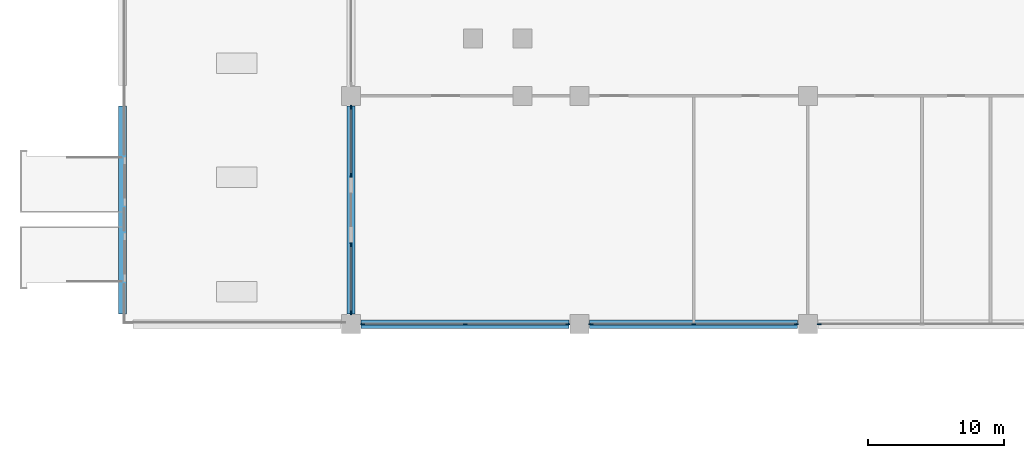
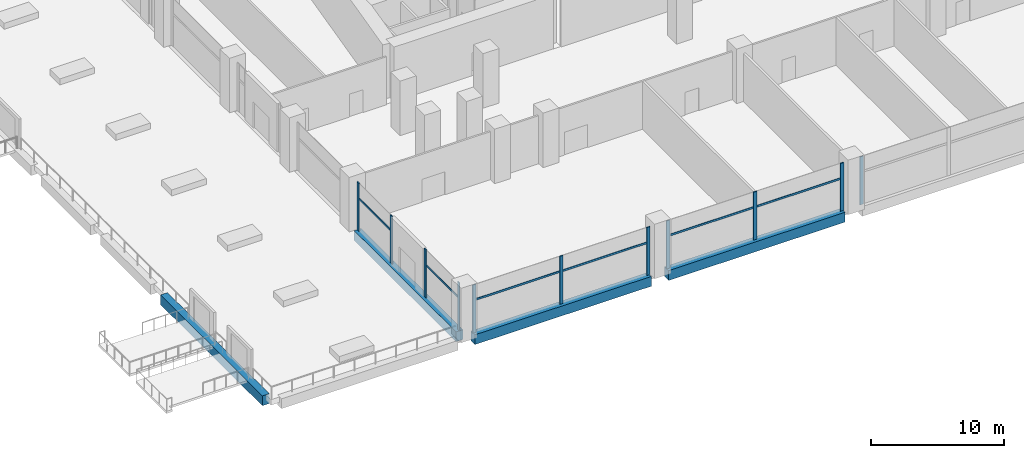
# One storey, part 2 of 33: 17 members, 4 beams, 5 elements without a shape of their own.
"""IFC4 building model written with IfcOpenShell, lengths in metres."""

from ifc_helpers import new_model, si_unit, direction, frame, origin, origin_2d, place, context, subcontext, project, spatial, rectangle, extrude, material, material_profile, profile_set, type_object, element, aggregate, save


model = new_model("IFC4")

# Units and contexts
model_context = context("Model", 3, precision=1e-05, world=origin(), true_north=direction((0.0, 1.0)))
body_context = subcontext(model_context, "Body", "Model", "MODEL_VIEW")
ifc_project = project(units=[si_unit("LENGTHUNIT", "METRE"), si_unit("AREAUNIT", "SQUARE_METRE"), si_unit("VOLUMEUNIT", "CUBIC_METRE"), si_unit("PLANEANGLEUNIT", "RADIAN"), si_unit("MASSUNIT", "GRAM", prefix="KILO")], contexts=[model_context])

# Site, building, storey
site_placement = place(None, origin())
site = spatial("IfcSite", under=ifc_project, at=site_placement, CompositionType="ELEMENT")
building_placement = place(site_placement, origin())
building = spatial("IfcBuilding", under=site, at=building_placement, Name="Candeia Pilgrim Tower and Theatre", CompositionType="ELEMENT")
storey_placement = place(building_placement, frame((0.0, 0.0, 29.0)))
storey = spatial("IfcBuildingStorey", under=building, at=storey_placement, Name="L04", CompositionType="ELEMENT", Elevation=29.0)

# Curtain wall, members
ifc_material_1 = material(Name="Aluminium framed podium glazing", Category="aluminium")
curtain_wall_type = type_object("IfcCurtainWallType", Name="CW-P curtain wall", PredefinedType="NOTDEFINED", material=ifc_material_1)
curtain_wall_1_placement = place(storey_placement, origin())
curtain_wall_1 = element("IfcCurtainWall", 1, at=curtain_wall_1_placement, inside=storey, type_object=curtain_wall_type, Name="Curtain wall CW-P L04.000", PredefinedType="NOTDEFINED")
ifc_material_2 = material(Name="Anodised aluminium", Category="aluminium")
ifc_material_profile_1 = material_profile(ifc_material_2, rectangle(XDim=0.080078125, YDim=0.300048828125, at=origin_2d()))
ifc_profile_set_1 = profile_set([ifc_material_profile_1], Name="Anodised aluminium")
member_type_1 = type_object("IfcMemberType", Name="CW-P mullion 80x300", PredefinedType="MULLION", material=ifc_profile_set_1)
member_1_placement = place(storey_placement, frame((75.60009765625, 82.050048828125, 0.0), z_axis=(0.0, 0.0, 1.0), x_axis=(-1.0, 0.0, 0.0)))
member_1 = element("IfcMember", 2, at=member_1_placement, type_object=member_type_1, Name="CW-P mullion 1", PredefinedType="MULLION", context=body_context, shape_type="SweptSolid", body=[
    extrude(rectangle(XDim=0.080078125, YDim=0.300048828125, at=origin_2d()), origin(), (0.0, 0.0, 1.0), 4.39990234375),
])
member_2_placement = place(storey_placement, frame((75.60009765625, 87.050048828125, 0.0), z_axis=(0.0, 0.0, 1.0), x_axis=(-1.0, 0.0, 0.0)))
member_2 = element("IfcMember", 3, at=member_2_placement, type_object=member_type_1, Name="CW-P mullion 2", PredefinedType="MULLION", context=body_context, shape_type="SweptSolid", body=[
    extrude(rectangle(XDim=0.080078125, YDim=0.300048828125, at=origin_2d()), origin(), (0.0, 0.0, 1.0), 4.39990234375),
])

curtain_wall_2_placement = place(storey_placement, origin())
curtain_wall_2 = element("IfcCurtainWall", 4, at=curtain_wall_2_placement, inside=storey, type_object=curtain_wall_type, Name="Curtain wall CW-P L04.001", PredefinedType="NOTDEFINED")
member_3_placement = place(storey_placement, frame((75.60009765625, 92.14990234375, 0.0), z_axis=(0.0, 0.0, 1.0), x_axis=(-1.0, 0.0, 0.0)))
member_3 = element("IfcMember", 5, at=member_3_placement, type_object=member_type_1, Name="CW-P mullion 1", PredefinedType="MULLION", context=body_context, shape_type="SweptSolid", body=[
    extrude(rectangle(XDim=0.080078125, YDim=0.300048828125, at=origin_2d()), origin(), (0.0, 0.0, 1.0), 4.39990234375),
])
member_4_placement = place(storey_placement, frame((75.60009765625, 97.14990234375, 0.0), z_axis=(0.0, 0.0, 1.0), x_axis=(-1.0, 0.0, 0.0)))
member_4 = element("IfcMember", 6, at=member_4_placement, type_object=member_type_1, Name="CW-P mullion 2", PredefinedType="MULLION", context=body_context, shape_type="SweptSolid", body=[
    extrude(rectangle(XDim=0.080078125, YDim=0.300048828125, at=origin_2d()), origin(), (0.0, 0.0, 1.0), 4.39990234375),
])

# Curtain wall, member
curtain_wall_3_placement = place(storey_placement, origin())
curtain_wall_3 = element("IfcCurtainWall", 7, at=curtain_wall_3_placement, inside=storey, type_object=curtain_wall_type, Name="Curtain wall CW-P L04.320", PredefinedType="NOTDEFINED")
member_5_placement = place(storey_placement, frame((110.050048828125, 81.199951171875, 0.0), z_axis=(0.0, 0.0, 1.0), x_axis=(0.0, -1.0, 0.0)))
member_5 = element("IfcMember", 8, at=member_5_placement, type_object=member_type_1, Name="CW-P mullion 3", PredefinedType="MULLION", context=body_context, shape_type="SweptSolid", body=[
    extrude(rectangle(XDim=0.080078125, YDim=0.300048828125, at=origin_2d()), origin(), (0.0, 0.0, 1.0), 4.39990234375),
])
aggregate(curtain_wall_3, [member_5])

# Curtain wall, members
curtain_wall_4_placement = place(storey_placement, origin())
curtain_wall_4 = element("IfcCurtainWall", 9, at=curtain_wall_4_placement, inside=storey, type_object=curtain_wall_type, Name="Curtain wall CW-P L04.330", PredefinedType="NOTDEFINED")
member_6_placement = place(storey_placement, frame((108.35009765625, 81.199951171875, 0.0), z_axis=(0.0, 0.0, 1.0), x_axis=(0.0, -1.0, 0.0)))
member_6 = element("IfcMember", 10, at=member_6_placement, type_object=member_type_1, Name="CW-P mullion 1", PredefinedType="MULLION", context=body_context, shape_type="SweptSolid", body=[
    extrude(rectangle(XDim=0.080078125, YDim=0.300048828125, at=origin_2d()), origin(), (0.0, 0.0, 1.0), 4.39990234375),
])
member_7_placement = place(storey_placement, frame((100.800048828125, 81.199951171875, 0.0), z_axis=(0.0, 0.0, 1.0), x_axis=(0.0, -1.0, 0.0)))
member_7 = element("IfcMember", 11, at=member_7_placement, type_object=member_type_1, Name="CW-P mullion 2", PredefinedType="MULLION", context=body_context, shape_type="SweptSolid", body=[
    extrude(rectangle(XDim=0.080078125, YDim=0.300048828125, at=origin_2d()), origin(), (0.0, 0.0, 1.0), 4.39990234375),
])
member_8_placement = place(storey_placement, frame((93.25, 81.199951171875, 0.0), z_axis=(0.0, 0.0, 1.0), x_axis=(0.0, -1.0, 0.0)))
member_8 = element("IfcMember", 12, at=member_8_placement, type_object=member_type_1, Name="CW-P mullion 3", PredefinedType="MULLION", context=body_context, shape_type="SweptSolid", body=[
    extrude(rectangle(XDim=0.080078125, YDim=0.300048828125, at=origin_2d()), origin(), (0.0, 0.0, 1.0), 4.39990234375),
])

curtain_wall_5_placement = place(storey_placement, origin())
curtain_wall_5 = element("IfcCurtainWall", 13, at=curtain_wall_5_placement, inside=storey, type_object=curtain_wall_type, Name="Curtain wall CW-P L04.340", PredefinedType="NOTDEFINED")
member_9_placement = place(storey_placement, frame((91.550048828125, 81.199951171875, 0.0), z_axis=(0.0, 0.0, 1.0), x_axis=(0.0, -1.0, 0.0)))
member_9 = element("IfcMember", 14, at=member_9_placement, type_object=member_type_1, Name="CW-P mullion 1", PredefinedType="MULLION", context=body_context, shape_type="SweptSolid", body=[
    extrude(rectangle(XDim=0.080078125, YDim=0.300048828125, at=origin_2d()), origin(), (0.0, 0.0, 1.0), 4.39990234375),
])
member_10_placement = place(storey_placement, frame((84.0, 81.199951171875, 0.0), z_axis=(0.0, 0.0, 1.0), x_axis=(0.0, -1.0, 0.0)))
member_10 = element("IfcMember", 15, at=member_10_placement, type_object=member_type_1, Name="CW-P mullion 2", PredefinedType="MULLION", context=body_context, shape_type="SweptSolid", body=[
    extrude(rectangle(XDim=0.080078125, YDim=0.300048828125, at=origin_2d()), origin(), (0.0, 0.0, 1.0), 4.39990234375),
])
member_11_placement = place(storey_placement, frame((76.449951171875, 81.199951171875, 0.0), z_axis=(0.0, 0.0, 1.0), x_axis=(0.0, -1.0, 0.0)))
member_11 = element("IfcMember", 16, at=member_11_placement, type_object=member_type_1, Name="CW-P mullion 3", PredefinedType="MULLION", context=body_context, shape_type="SweptSolid", body=[
    extrude(rectangle(XDim=0.080078125, YDim=0.300048828125, at=origin_2d()), origin(), (0.0, 0.0, 1.0), 4.39990234375),
])

# Member
ifc_material_profile_2 = material_profile(ifc_material_2, rectangle(XDim=0.080078125, YDim=0.179931640625, at=origin_2d()))
ifc_profile_set_2 = profile_set([ifc_material_profile_2], Name="Anodised aluminium")
member_type_2 = type_object("IfcMemberType", Name="CW-P transom 80x180", PredefinedType="USERDEFINED", material=ifc_profile_set_2)
member_12_placement = place(storey_placement, frame((75.60009765625, 82.090087890625, 3.0), z_axis=(0.0, 1.0, 0.0), x_axis=(-1.0, 0.0, 0.0)))
member_12 = element("IfcMember", 17, at=member_12_placement, type_object=member_type_2, Name="CW-P transom 1.1", ObjectType="TRANSOM", PredefinedType="USERDEFINED", context=body_context, shape_type="SweptSolid", body=[
    extrude(rectangle(XDim=0.080078125, YDim=0.179931640625, at=origin_2d()), origin(), (0.0, 0.0, 1.0), 4.919921875),
])

aggregate(curtain_wall_1, [member_1, member_2, member_12])

member_13_placement = place(storey_placement, frame((75.60009765625, 92.18994140625, 3.0), z_axis=(0.0, 1.0, 0.0), x_axis=(-1.0, 0.0, 0.0)))
member_13 = element("IfcMember", 18, at=member_13_placement, type_object=member_type_2, Name="CW-P transom 1.1", ObjectType="TRANSOM", PredefinedType="USERDEFINED", context=body_context, shape_type="SweptSolid", body=[
    extrude(rectangle(XDim=0.080078125, YDim=0.179931640625, at=origin_2d()), origin(), (0.0, 0.0, 1.0), 4.920166015625),
])

aggregate(curtain_wall_2, [member_3, member_4, member_13])

member_14_placement = place(storey_placement, frame((108.31005859375, 81.199951171875, 3.0), z_axis=(-1.0, 0.0, 0.0), x_axis=(0.0, -1.0, 0.0)))
member_14 = element("IfcMember", 19, at=member_14_placement, type_object=member_type_2, Name="CW-P transom 1.1", ObjectType="TRANSOM", PredefinedType="USERDEFINED", context=body_context, shape_type="SweptSolid", body=[
    extrude(rectangle(XDim=0.080078125, YDim=0.179931640625, at=origin_2d()), origin(), (0.0, 0.0, 1.0), 7.469970703125),
])

member_15_placement = place(storey_placement, frame((100.760009765625, 81.199951171875, 3.0), z_axis=(-1.0, 0.0, 0.0), x_axis=(0.0, -1.0, 0.0)))
member_15 = element("IfcMember", 20, at=member_15_placement, type_object=member_type_2, Name="CW-P transom 2.1", ObjectType="TRANSOM", PredefinedType="USERDEFINED", context=body_context, shape_type="SweptSolid", body=[
    extrude(rectangle(XDim=0.080078125, YDim=0.179931640625, at=origin_2d()), origin(), (0.0, 0.0, 1.0), 7.469970703125),
])

aggregate(curtain_wall_4, [member_6, member_7, member_8, member_14, member_15])

member_16_placement = place(storey_placement, frame((91.510009765625, 81.199951171875, 3.0), z_axis=(-1.0, 0.0, 0.0), x_axis=(0.0, -1.0, 0.0)))
member_16 = element("IfcMember", 21, at=member_16_placement, type_object=member_type_2, Name="CW-P transom 1.1", ObjectType="TRANSOM", PredefinedType="USERDEFINED", context=body_context, shape_type="SweptSolid", body=[
    extrude(rectangle(XDim=0.080078125, YDim=0.179931640625, at=origin_2d()), origin(), (0.0, 0.0, 1.0), 7.469970703125),
])

member_17_placement = place(storey_placement, frame((83.9599609375, 81.199951171875, 3.0), z_axis=(-1.0, 0.0, 0.0), x_axis=(0.0, -1.0, 0.0)))
member_17 = element("IfcMember", 22, at=member_17_placement, type_object=member_type_2, Name="CW-P transom 2.1", ObjectType="TRANSOM", PredefinedType="USERDEFINED", context=body_context, shape_type="SweptSolid", body=[
    extrude(rectangle(XDim=0.080078125, YDim=0.179931640625, at=origin_2d()), origin(), (0.0, 0.0, 1.0), 7.469970703125),
])

aggregate(curtain_wall_5, [member_9, member_10, member_11, member_16, member_17])

# Beams
ifc_material_3 = material(Name="Concrete C80/95", Category="concrete")
ifc_material_profile_3 = material_profile(ifc_material_3, rectangle(XDim=0.60009765625, YDim=0.89990234375, at=origin_2d()))
ifc_profile_set_3 = profile_set([ifc_material_profile_3], Name="Concrete C80/95")
beam_type = type_object("IfcBeamType", Name="RC 600x900 C80/95", PredefinedType="BEAM", material=ifc_profile_set_3)
beam_1_placement = place(storey_placement, frame((75.60009765625, 97.25, -0.449951171875), z_axis=(0.0, -1.0, 0.0), x_axis=(1.0, 0.0, 0.0)))
element("IfcBeam", 23, at=beam_1_placement, inside=storey, type_object=beam_type, Name="Spandrel beam L04-19", PredefinedType="BEAM", context=body_context, shape_type="SweptSolid", body=[
    extrude(rectangle(XDim=0.60009765625, YDim=0.89990234375, at=origin_2d()), origin(), (0.0, 0.0, 1.0), 15.300048828125),
])
beam_2_placement = place(storey_placement, frame((76.35009765625, 81.199951171875, -0.449951171875), z_axis=(1.0, 0.0, 0.0), x_axis=(0.0, 1.0, 0.0)))
element("IfcBeam", 24, at=beam_2_placement, inside=storey, type_object=beam_type, Name="Spandrel beam L04-20", PredefinedType="BEAM", context=body_context, shape_type="SweptSolid", body=[
    extrude(rectangle(XDim=0.60009765625, YDim=0.89990234375, at=origin_2d()), origin(), (0.0, 0.0, 1.0), 15.2998046875),
])
for number, where, z_axis, x_axis, name in (
    (25, (93.14990234375, 81.199951171875, -0.449951171875), (1.0, 0.0, 0.0), (0.0, 1.0, 0.0), "Spandrel beam L04-21"),
    (26, (58.800048828125, 81.949951171875, -0.449951171875), (0.0, 1.0, 0.0), (-1.0, 0.0, 0.0), "Spandrel beam L04-25"),
):
    element("IfcBeam", number, at=place(storey_placement, frame(where, z_axis=z_axis, x_axis=x_axis)), inside=storey, type_object=beam_type, Name=name, PredefinedType="BEAM", context=body_context, shape_type="SweptSolid", body=[
        extrude(rectangle(XDim=0.60009765625, YDim=0.89990234375, at=origin_2d()), origin(), (0.0, 0.0, 1.0), 15.300048828125),
    ])

save(model, "model.ifc")
